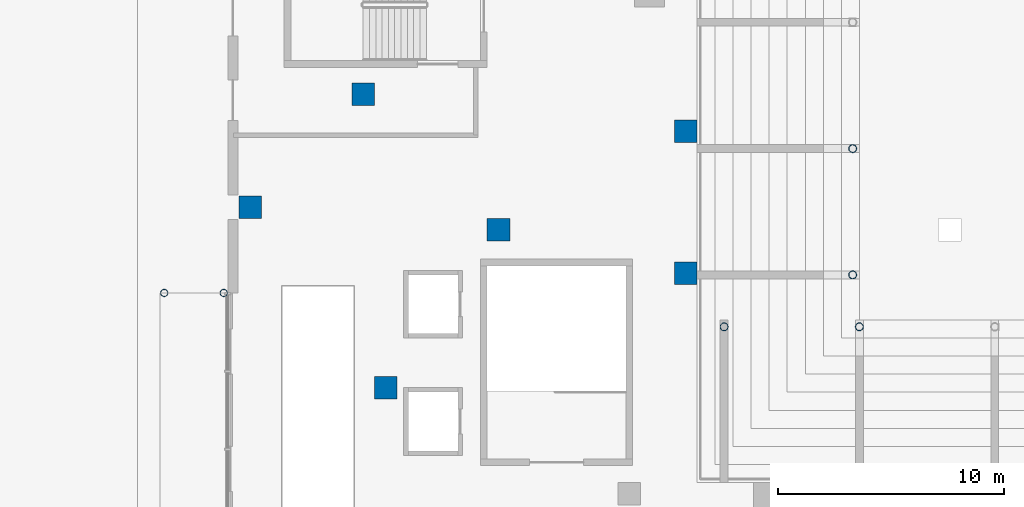
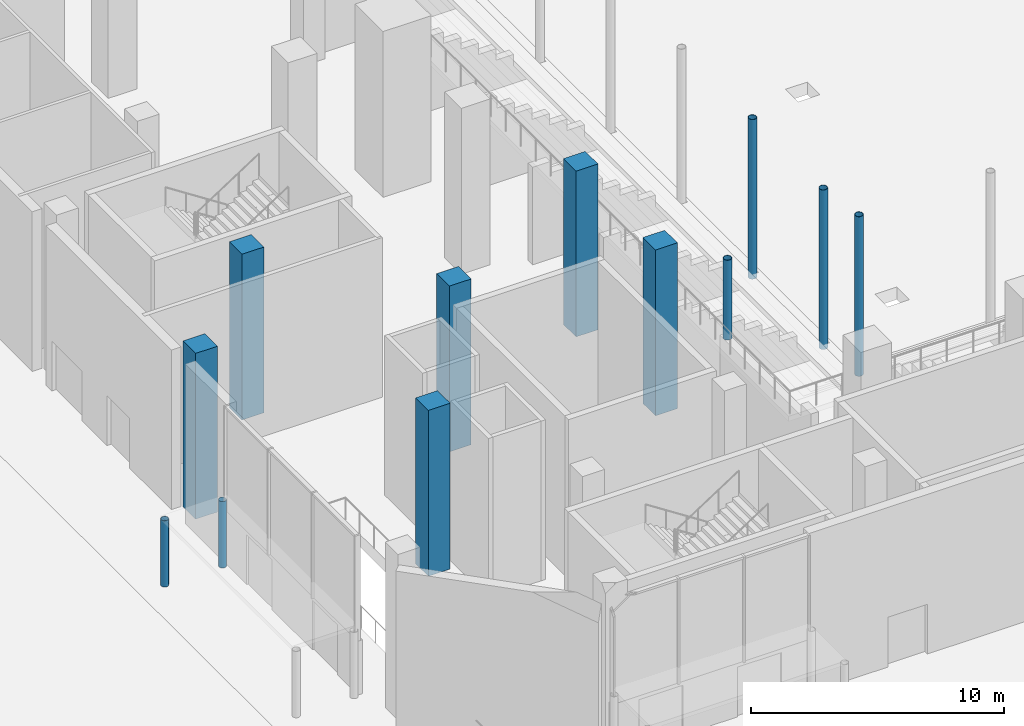
# One storey, part 2 of 41: 12 columns.
"""IFC4 building model written with IfcOpenShell, lengths in metres."""

from ifc_helpers import new_model, si_unit, direction, frame, origin, origin_2d, place, context, subcontext, project, spatial, rectangle, hollow_circle, extrude, material, material_profile, profile_set, type_object, element, save


model = new_model("IFC4")

# Units and contexts
model_context = context("Model", 3, precision=1e-05, world=origin(), true_north=direction((0.0, 1.0)))
body_context = subcontext(model_context, "Body", "Model", "MODEL_VIEW")
ifc_project = project(units=[si_unit("LENGTHUNIT", "METRE"), si_unit("AREAUNIT", "SQUARE_METRE"), si_unit("VOLUMEUNIT", "CUBIC_METRE"), si_unit("PLANEANGLEUNIT", "RADIAN"), si_unit("MASSUNIT", "GRAM", prefix="KILO")], contexts=[model_context])

# Site, building, storey
site_placement = place(None, origin())
site = spatial("IfcSite", under=ifc_project, at=site_placement, CompositionType="ELEMENT")
building_placement = place(site_placement, origin())
building = spatial("IfcBuilding", under=site, at=building_placement, Name="Wharfspan Tower", CompositionType="ELEMENT")
storey_placement = place(building_placement, origin())
storey = spatial("IfcBuildingStorey", under=building, at=storey_placement, Name="L00", CompositionType="ELEMENT", Elevation=0.0)

# Columns
ifc_material_1 = material(Name="Steel S355J2", Category="steel")
ifc_material_profile_1 = material_profile(ifc_material_1, hollow_circle(Radius=0.161865, WallThickness=0.01001, at=origin_2d()))
ifc_profile_set_1 = profile_set([ifc_material_profile_1], Name="Steel S355J2")
column_type_1 = type_object("IfcColumnType", Name="Canopy post CHS 323.9x10", PredefinedType="COLUMN", material=ifc_profile_set_1)
for number, where, z_axis, x_axis, name in (
    (1, (-14.818115, -12.800049, 0.0), (0.0, 0.0, 1.0), (1.0, 0.0, 0.0), "Canopy post"),
    (2, (-12.181885, -12.800049, 0.0), (0.0, 0.0, 1.0), (1.0, 0.0, 0.0), "Canopy post"),
):
    element("IfcColumn", number, at=place(storey_placement, frame(where, z_axis=z_axis, x_axis=x_axis)), inside=storey, type_object=column_type_1, Name=name, PredefinedType="COLUMN", context=body_context, shape_type="SweptSolid", body=[
        extrude(hollow_circle(Radius=0.161865, WallThickness=0.01001, at=origin_2d()), origin(), (0.0, 0.0, 1.0), 3.199951),
    ])
ifc_material_2 = material(Name="Concrete C60/75", Category="concrete")
ifc_material_profile_2 = material_profile(ifc_material_2, rectangle(XDim=1.0, YDim=1.0, at=origin_2d()))
ifc_profile_set_2 = profile_set([ifc_material_profile_2], Name="Concrete C60/75")
column_type_2 = type_object("IfcColumnType", Name="Concrete column 1000 square", PredefinedType="COLUMN", material=ifc_profile_set_2)
for number, where, z_axis, x_axis, name in (
    (3, (8.300049, -11.919922, 0.0), (0.0, 0.0, 1.0), (1.0, 0.0, 0.0), "Column G.W3"),
    (4, (8.300049, -5.639893, 0.0), (0.0, 0.0, 1.0), (1.0, 0.0, 0.0), "Column G.W4"),
    (5, (-11.0, -9.0, 0.0), (0.0, 0.0, 1.0), (1.0, 0.0, 0.0), "Column D.4"),
    (6, (-5.0, -17.0, 0.0), (0.0, 0.0, 1.0), (1.0, 0.0, 0.0), "Column D.21"),
    (7, (-6.0, -4.0, 0.0), (0.0, 0.0, 1.0), (1.0, 0.0, 0.0), "Column D.24"),
    (8, (0.0, -10.0, 0.0), (0.0, 0.0, 1.0), (1.0, 0.0, 0.0), "Column D.39"),
):
    element("IfcColumn", number, at=place(storey_placement, frame(where, z_axis=z_axis, x_axis=x_axis)), inside=storey, type_object=column_type_2, Name=name, PredefinedType="COLUMN", context=body_context, shape_type="SweptSolid", body=[
        extrude(rectangle(XDim=1.0, YDim=1.0, at=origin_2d()), origin(), (0.0, 0.0, 1.0), 8.0),
    ])
ifc_material_3 = material(Name="Steel S460NH", Category="steel")
ifc_material_profile_3 = material_profile(ifc_material_3, hollow_circle(Radius=0.177734, WallThickness=0.016113, at=origin_2d()))
ifc_profile_set_3 = profile_set([ifc_material_profile_3], Name="Steel S460NH")
column_type_3 = type_object("IfcColumnType", Name="Tier column CHS 356x16", PredefinedType="COLUMN", material=ifc_profile_set_3)
column_placement = place(storey_placement, frame((10.0, -14.300049, 4.149902), z_axis=(0.0, 0.0, 1.0), x_axis=(1.0, 0.0, 0.0)))
element("IfcColumn", 9, at=column_placement, inside=storey, type_object=column_type_3, Name="Upper tier column", PredefinedType="COLUMN", context=body_context, shape_type="SweptSolid", body=[
    extrude(hollow_circle(Radius=0.177734, WallThickness=0.016113, at=origin_2d()), origin(), (0.0, 0.0, 1.0), 3.850098),
])
for number, where, z_axis, x_axis, name in (
    (10, (16.0, -14.300049, 0.300049), (0.0, 0.0, 1.0), (1.0, 0.0, 0.0), "Upper tier column"),
    (11, (15.699951, -12.0, 0.300049), (0.0, 0.0, 1.0), (1.0, 0.0, 0.0), "Upper tier column"),
    (12, (15.699951, -6.399902, 0.300049), (0.0, 0.0, 1.0), (1.0, 0.0, 0.0), "Upper tier column"),
):
    element("IfcColumn", number, at=place(storey_placement, frame(where, z_axis=z_axis, x_axis=x_axis)), inside=storey, type_object=column_type_3, Name=name, PredefinedType="COLUMN", context=body_context, shape_type="SweptSolid", body=[
        extrude(hollow_circle(Radius=0.177734, WallThickness=0.016113, at=origin_2d()), origin(), (0.0, 0.0, 1.0), 7.699951),
    ])

save(model, "model.ifc")
